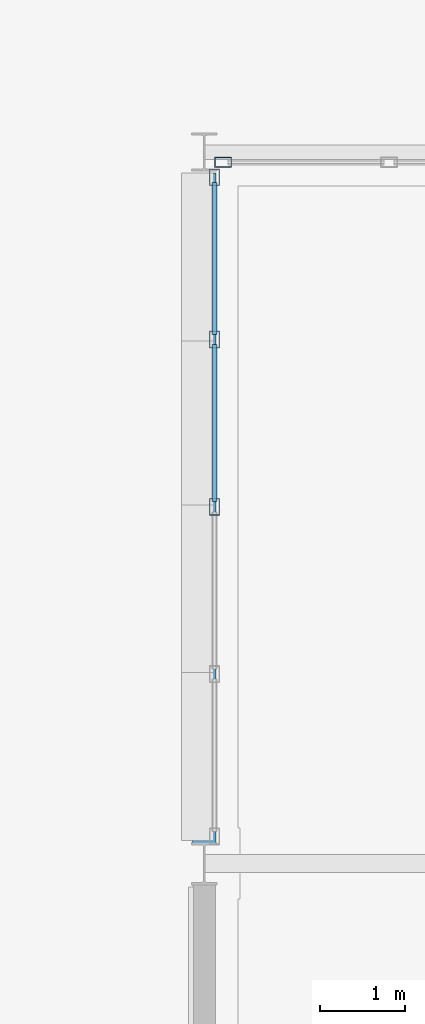
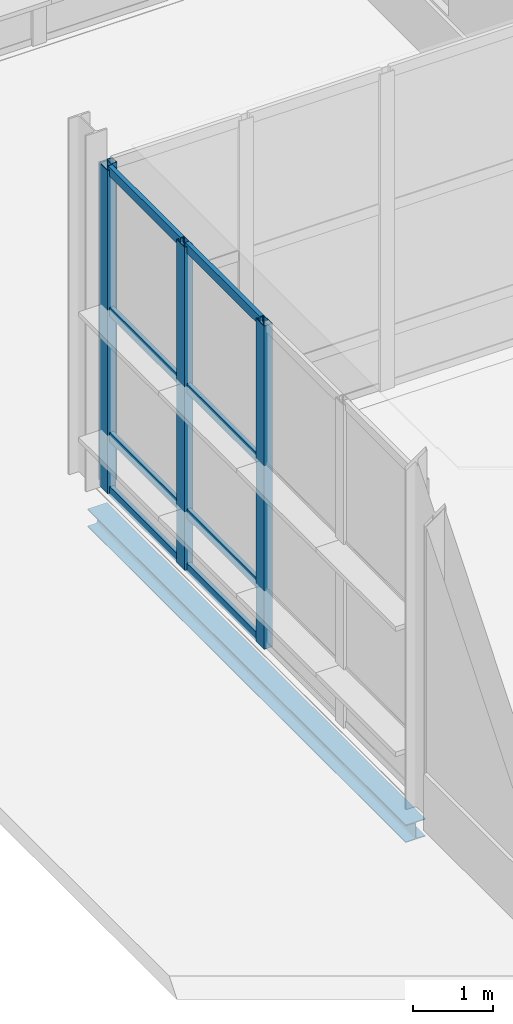
# One storey, part 58 of 124: 12 members, 1 beam, 2 elements without a shape of their own.
"""IFC4 building model written with IfcOpenShell, lengths in metres."""

from ifc_helpers import new_model, si_unit, direction, frame, origin, origin_2d, place, context, subcontext, project, spatial, hollow_rectangle, i_section, extrude, material, material_profile, profile_set, type_object, element, aggregate, save


model = new_model("IFC4")

# Units and contexts
model_context = context("Model", 3, precision=1e-05, world=origin(), true_north=direction((0.0, 1.0)))
body_context = subcontext(model_context, "Body", "Model", "MODEL_VIEW")
ifc_project = project(units=[si_unit("LENGTHUNIT", "METRE"), si_unit("AREAUNIT", "SQUARE_METRE"), si_unit("VOLUMEUNIT", "CUBIC_METRE"), si_unit("PLANEANGLEUNIT", "RADIAN"), si_unit("MASSUNIT", "GRAM", prefix="KILO")], contexts=[model_context])

# Site, building, storey
site_placement = place(None, origin())
site = spatial("IfcSite", under=ifc_project, at=site_placement, CompositionType="ELEMENT")
building_placement = place(site_placement, origin())
building = spatial("IfcBuilding", under=site, at=building_placement, Name="Mersafa Astral City Hall", CompositionType="ELEMENT")
storey_placement = place(building_placement, origin())
storey = spatial("IfcBuildingStorey", under=building, at=storey_placement, Name="L00", CompositionType="ELEMENT", Elevation=0.0)

# Curtain wall, member
ifc_material_1 = material(Name="Anodised bronze aluminium framing", Category="aluminium")
curtain_wall_type_1 = type_object("IfcCurtainWallType", Name="ENV-CW-3", PredefinedType="USERDEFINED", material=ifc_material_1)
curtain_wall_1_placement = place(storey_placement, origin())
curtain_wall_1 = element("IfcCurtainWall", 1, at=curtain_wall_1_placement, inside=storey, type_object=curtain_wall_type_1, Name="L00 Unitised solar curtain wall 20", ObjectType="UNITISED CURTAIN WALL", PredefinedType="USERDEFINED")
ifc_material_profile_1 = material_profile(ifc_material_1, hollow_rectangle(XDim=0.1201171875, YDim=0.199951171875, WallThickness=0.008056640625, at=origin_2d()), Name="RHS 120x200x8")
ifc_profile_set_1 = profile_set([ifc_material_profile_1], Name="Anodised bronze aluminium framing")
member_type_1 = type_object("IfcMemberType", Name="ENV-CW-MUL-2", PredefinedType="MULLION", material=ifc_profile_set_1)
member_1_placement = place(storey_placement, frame((159.822021484375, 92.280029296875, -0.001953125), z_axis=(0.0, 0.0, 1.0), x_axis=(0.0, -1.0, 0.0)))
member_1 = element("IfcMember", 2, at=member_1_placement, type_object=member_type_1, Name="CW-3 mullion 5", PredefinedType="MULLION", context=body_context, shape_type="SweptSolid", body=[
    extrude(hollow_rectangle(XDim=0.1201171875, YDim=0.199951171875, WallThickness=0.008056640625, at=origin_2d()), origin(), (0.0, 0.0, 1.0), 4.81396484375),
])
aggregate(curtain_wall_1, [member_1])

# Curtain wall, members
curtain_wall_type_2 = type_object("IfcCurtainWallType", Name="ENV-CW-4", PredefinedType="USERDEFINED", material=ifc_material_1)
curtain_wall_2_placement = place(storey_placement, origin())
curtain_wall_2 = element("IfcCurtainWall", 3, at=curtain_wall_2_placement, inside=storey, type_object=curtain_wall_type_2, Name="L00 Unitised solar curtain wall 21", ObjectType="UNITISED CURTAIN WALL", PredefinedType="USERDEFINED")
member_2_placement = place(storey_placement, frame((159.719970703125, 92.10302734375, -0.001953125), z_axis=(0.0, 0.0, 1.0), x_axis=(1.0, 0.0, 0.0)))
member_2 = element("IfcMember", 4, at=member_2_placement, type_object=member_type_1, Name="CW-4 mullion 1", PredefinedType="MULLION", context=body_context, shape_type="SweptSolid", body=[
    extrude(hollow_rectangle(XDim=0.1201171875, YDim=0.199951171875, WallThickness=0.008056640625, at=origin_2d()), origin(), (0.0, 0.0, 1.0), 4.904052734375),
])
member_3_placement = place(storey_placement, frame((159.719970703125, 90.187744140625, -0.001953125), z_axis=(0.0, 0.0, 1.0), x_axis=(1.0, 0.0, 0.0)))
member_3 = element("IfcMember", 5, at=member_3_placement, type_object=member_type_1, Name="CW-4 mullion 2", PredefinedType="MULLION", context=body_context, shape_type="SweptSolid", body=[
    extrude(hollow_rectangle(XDim=0.1201171875, YDim=0.199951171875, WallThickness=0.008056640625, at=origin_2d()), origin(), (0.0, 0.0, 1.0), 4.904052734375),
])
member_4_placement = place(storey_placement, frame((159.719970703125, 88.21240234375, -0.001953125), z_axis=(0.0, 0.0, 1.0), x_axis=(1.0, 0.0, 0.0)))
member_4 = element("IfcMember", 6, at=member_4_placement, type_object=member_type_1, Name="CW-4 mullion 3", PredefinedType="MULLION", context=body_context, shape_type="SweptSolid", body=[
    extrude(hollow_rectangle(XDim=0.1201171875, YDim=0.199951171875, WallThickness=0.008056640625, at=origin_2d()), origin(), (0.0, 0.0, 1.0), 4.904052734375),
])
ifc_material_profile_2 = material_profile(ifc_material_1, hollow_rectangle(XDim=0.06005859375, YDim=0.139892578125, WallThickness=0.00390625, at=origin_2d()), Name="RHS 60x140x4")
ifc_profile_set_2 = profile_set([ifc_material_profile_2], Name="Anodised bronze aluminium framing")
member_type_2 = type_object("IfcMemberType", Name="ENV-CW-TRN-1", PredefinedType="USERDEFINED", material=ifc_profile_set_2)
member_5_placement = place(storey_placement, frame((159.719970703125, 92.04296875, 0.028076171875), z_axis=(0.0, -1.0, 0.0), x_axis=(1.0, 0.0, 0.0)))
member_5 = element("IfcMember", 7, at=member_5_placement, type_object=member_type_2, Name="CW-4 transom 1.1", ObjectType="TRANSOM", PredefinedType="USERDEFINED", context=body_context, shape_type="SweptSolid", body=[
    extrude(hollow_rectangle(XDim=0.06005859375, YDim=0.139892578125, WallThickness=0.00390625, at=origin_2d()), origin(), (0.0, 0.0, 1.0), 1.795166015625),
])
member_6_placement = place(storey_placement, frame((159.719970703125, 92.04296875, 0.85009765625), z_axis=(0.0, -1.0, 0.0), x_axis=(1.0, 0.0, 0.0)))
member_6 = element("IfcMember", 8, at=member_6_placement, type_object=member_type_2, Name="CW-4 transom 1.2", ObjectType="TRANSOM", PredefinedType="USERDEFINED", context=body_context, shape_type="SweptSolid", body=[
    extrude(hollow_rectangle(XDim=0.06005859375, YDim=0.139892578125, WallThickness=0.00390625, at=origin_2d()), origin(), (0.0, 0.0, 1.0), 1.795166015625),
])
member_7_placement = place(storey_placement, frame((159.719970703125, 92.04296875, 2.75), z_axis=(0.0, -1.0, 0.0), x_axis=(1.0, 0.0, 0.0)))
member_7 = element("IfcMember", 9, at=member_7_placement, type_object=member_type_2, Name="CW-4 transom 1.3", ObjectType="TRANSOM", PredefinedType="USERDEFINED", context=body_context, shape_type="SweptSolid", body=[
    extrude(hollow_rectangle(XDim=0.06005859375, YDim=0.139892578125, WallThickness=0.00390625, at=origin_2d()), origin(), (0.0, 0.0, 1.0), 1.795166015625),
])
member_8_placement = place(storey_placement, frame((159.719970703125, 92.04296875, 4.8720703125), z_axis=(0.0, -1.0, 0.0), x_axis=(1.0, 0.0, 0.0)))
member_8 = element("IfcMember", 10, at=member_8_placement, type_object=member_type_2, Name="CW-4 transom 1.4", ObjectType="TRANSOM", PredefinedType="USERDEFINED", context=body_context, shape_type="SweptSolid", body=[
    extrude(hollow_rectangle(XDim=0.06005859375, YDim=0.139892578125, WallThickness=0.00390625, at=origin_2d()), origin(), (0.0, 0.0, 1.0), 1.795166015625),
])
member_9_placement = place(storey_placement, frame((159.719970703125, 90.127685546875, 0.028076171875), z_axis=(0.0, -1.0, 0.0), x_axis=(1.0, 0.0, 0.0)))
member_9 = element("IfcMember", 11, at=member_9_placement, type_object=member_type_2, Name="CW-4 transom 2.1", ObjectType="TRANSOM", PredefinedType="USERDEFINED", context=body_context, shape_type="SweptSolid", body=[
    extrude(hollow_rectangle(XDim=0.06005859375, YDim=0.139892578125, WallThickness=0.00390625, at=origin_2d()), origin(), (0.0, 0.0, 1.0), 1.855224609375),
])
member_10_placement = place(storey_placement, frame((159.719970703125, 90.127685546875, 0.85009765625), z_axis=(0.0, -1.0, 0.0), x_axis=(1.0, 0.0, 0.0)))
member_10 = element("IfcMember", 12, at=member_10_placement, type_object=member_type_2, Name="CW-4 transom 2.2", ObjectType="TRANSOM", PredefinedType="USERDEFINED", context=body_context, shape_type="SweptSolid", body=[
    extrude(hollow_rectangle(XDim=0.06005859375, YDim=0.139892578125, WallThickness=0.00390625, at=origin_2d()), origin(), (0.0, 0.0, 1.0), 1.855224609375),
])
member_11_placement = place(storey_placement, frame((159.719970703125, 90.127685546875, 2.75), z_axis=(0.0, -1.0, 0.0), x_axis=(1.0, 0.0, 0.0)))
member_11 = element("IfcMember", 13, at=member_11_placement, type_object=member_type_2, Name="CW-4 transom 2.3", ObjectType="TRANSOM", PredefinedType="USERDEFINED", context=body_context, shape_type="SweptSolid", body=[
    extrude(hollow_rectangle(XDim=0.06005859375, YDim=0.139892578125, WallThickness=0.00390625, at=origin_2d()), origin(), (0.0, 0.0, 1.0), 1.855224609375),
])
member_12_placement = place(storey_placement, frame((159.719970703125, 90.127685546875, 4.8720703125), z_axis=(0.0, -1.0, 0.0), x_axis=(1.0, 0.0, 0.0)))
member_12 = element("IfcMember", 14, at=member_12_placement, type_object=member_type_2, Name="CW-4 transom 2.4", ObjectType="TRANSOM", PredefinedType="USERDEFINED", context=body_context, shape_type="SweptSolid", body=[
    extrude(hollow_rectangle(XDim=0.06005859375, YDim=0.139892578125, WallThickness=0.00390625, at=origin_2d()), origin(), (0.0, 0.0, 1.0), 1.855224609375),
])
aggregate(curtain_wall_2, [member_2, member_3, member_4, member_5, member_6, member_7, member_8, member_9, member_10, member_11, member_12])

# Beam
ifc_material_2 = material(Name="Steel S355", Category="steel")
ifc_material_profile_3 = material_profile(ifc_material_2, i_section(OverallWidth=0.280029296875, OverallDepth=0.27001953125, WebThickness=0.008056640625, FlangeThickness=0.012939453125, FilletRadius=0.02392578125, at=origin_2d()), Name="HEA 280")
ifc_profile_set_3 = profile_set([ifc_material_profile_3], Name="Steel S355")
beam_type = type_object("IfcBeamType", Name="STR-BM-SPANDREL-HEA280", PredefinedType="SPANDREL", material=ifc_profile_set_3)
beam_placement = place(storey_placement, frame((159.60009765625, 84.2451171875, -0.385009765625), z_axis=(0.0, 1.0, 0.0), x_axis=(-1.0, 0.0, 0.0)))
element("IfcBeam", 15, at=beam_placement, inside=storey, type_object=beam_type, Name="L00 Primary girder Y 19-10", PredefinedType="SPANDREL", context=body_context, shape_type="SweptSolid", body=[
    extrude(i_section(OverallWidth=0.280029296875, OverallDepth=0.27001953125, WebThickness=0.008056640625, FlangeThickness=0.012939453125, FilletRadius=0.02392578125, at=origin_2d()), origin(), (0.0, 0.0, 1.0), 7.909912109375),
])

save(model, "model.ifc")
